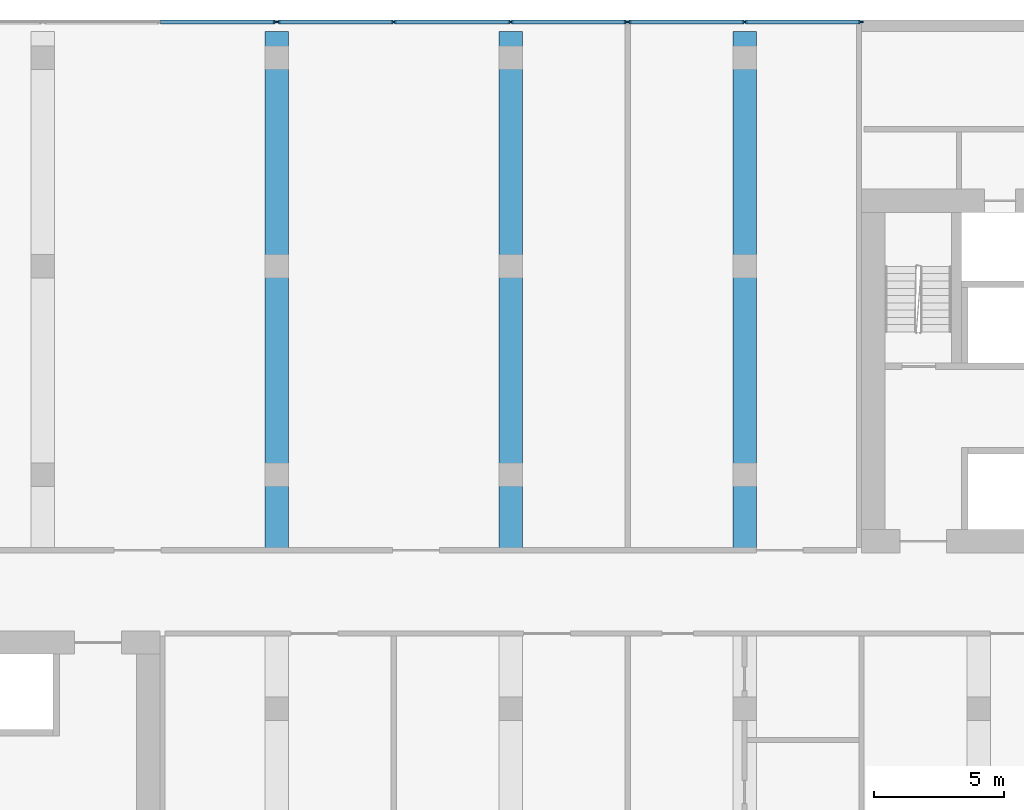
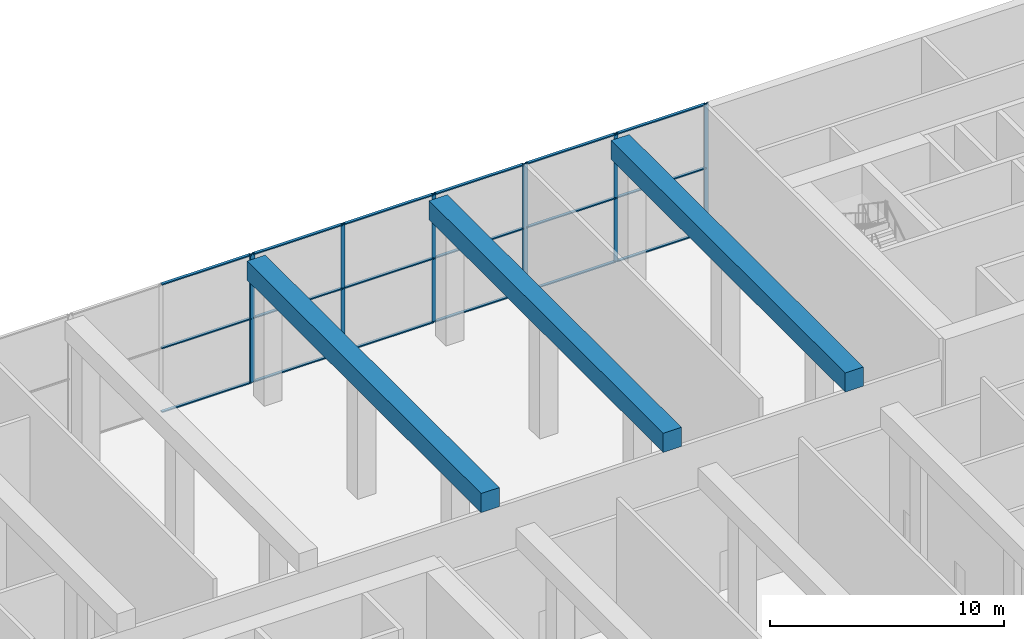
# One storey, part 6 of 23: 26 members, 3 beams, 3 elements without a shape of their own.
"""IFC4 building model written with IfcOpenShell, lengths in metres."""

from ifc_helpers import new_model, si_unit, direction, frame, origin, origin_2d, place, context, subcontext, project, spatial, rectangle, extrude, material, material_profile, profile_set, type_object, element, aggregate, save


model = new_model("IFC4")

# Units and contexts
model_context = context("Model", 3, precision=1e-05, world=origin(), true_north=direction((0.0, 1.0)))
body_context = subcontext(model_context, "Body", "Model", "MODEL_VIEW")
ifc_project = project(units=[si_unit("LENGTHUNIT", "METRE"), si_unit("AREAUNIT", "SQUARE_METRE"), si_unit("VOLUMEUNIT", "CUBIC_METRE"), si_unit("PLANEANGLEUNIT", "RADIAN"), si_unit("MASSUNIT", "GRAM", prefix="KILO")], contexts=[model_context])

# Site, building, storey
site_placement = place(None, origin())
site = spatial("IfcSite", under=ifc_project, at=site_placement, CompositionType="ELEMENT")
building_placement = place(site_placement, origin())
building = spatial("IfcBuilding", under=site, at=building_placement, Name="Kajstack Hotel Tower", CompositionType="ELEMENT")
storey_placement = place(building_placement, frame((0.0, 0.0, 53.0)))
storey = spatial("IfcBuildingStorey", under=building, at=storey_placement, Name="L08", CompositionType="ELEMENT", Elevation=53.0)

# Curtain wall, members
ifc_material_1 = material(Name="Aluminium-framed curtain wall, low-iron insulated glass", Category="aluminium")
curtain_wall_type = type_object("IfcCurtainWallType", Name="CW-GARDEN", PredefinedType="NOTDEFINED", material=ifc_material_1)
curtain_wall_1_placement = place(storey_placement, origin())
curtain_wall_1 = element("IfcCurtainWall", 1, at=curtain_wall_1_placement, inside=storey, type_object=curtain_wall_type, Name="Curtain wall CU6 L08-11-02-0", PredefinedType="NOTDEFINED")
ifc_material_2 = material(Name="Aluminium", Category="aluminium")
ifc_material_profile_1 = material_profile(ifc_material_2, rectangle(XDim=0.06005859375, YDim=0.199951171875, at=origin_2d()), Name="Aluminium mullion 60 x 200")
ifc_profile_set_1 = profile_set([ifc_material_profile_1], Name="Aluminium")
member_type_1 = type_object("IfcMemberType", Name="CW-M-GARDEN", PredefinedType="MULLION", material=ifc_profile_set_1)
member_1_placement = place(storey_placement, frame((13.469970703125, 21.925048828125, 0.0), z_axis=(0.0, 0.0, 1.0), x_axis=(0.0, -1.0, 0.0)))
member_1 = element("IfcMember", 2, at=member_1_placement, type_object=member_type_1, Name="CU6 mullion 1", PredefinedType="MULLION", context=body_context, shape_type="SweptSolid", body=[
    extrude(rectangle(XDim=0.06005859375, YDim=0.199951171875, at=origin_2d()), origin(), (0.0, 0.0, 1.0), 6.719970703125),
])
member_2_placement = place(storey_placement, frame((9.0, 21.925048828125, 0.0), z_axis=(0.0, 0.0, 1.0), x_axis=(0.0, -1.0, 0.0)))
member_2 = element("IfcMember", 3, at=member_2_placement, type_object=member_type_1, Name="CU6 mullion 2", PredefinedType="MULLION", context=body_context, shape_type="SweptSolid", body=[
    extrude(rectangle(XDim=0.06005859375, YDim=0.199951171875, at=origin_2d()), origin(), (0.0, 0.0, 1.0), 6.719970703125),
])
member_3_placement = place(storey_placement, frame((4.530029296875, 21.925048828125, 0.0), z_axis=(0.0, 0.0, 1.0), x_axis=(0.0, -1.0, 0.0)))
member_3 = element("IfcMember", 4, at=member_3_placement, type_object=member_type_1, Name="CU6 mullion 3", PredefinedType="MULLION", context=body_context, shape_type="SweptSolid", body=[
    extrude(rectangle(XDim=0.06005859375, YDim=0.199951171875, at=origin_2d()), origin(), (0.0, 0.0, 1.0), 6.719970703125),
])

curtain_wall_2_placement = place(storey_placement, origin())
curtain_wall_2 = element("IfcCurtainWall", 5, at=curtain_wall_2_placement, inside=storey, type_object=curtain_wall_type, Name="Curtain wall CU6 L08-11-02-1", PredefinedType="NOTDEFINED")
member_4_placement = place(storey_placement, frame((4.469970703125, 21.925048828125, 0.0), z_axis=(0.0, 0.0, 1.0), x_axis=(0.0, -1.0, 0.0)))
member_4 = element("IfcMember", 6, at=member_4_placement, type_object=member_type_1, Name="CU6 mullion 1", PredefinedType="MULLION", context=body_context, shape_type="SweptSolid", body=[
    extrude(rectangle(XDim=0.06005859375, YDim=0.199951171875, at=origin_2d()), origin(), (0.0, 0.0, 1.0), 6.719970703125),
])
member_5_placement = place(storey_placement, frame((0.0, 21.925048828125, 0.0), z_axis=(0.0, 0.0, 1.0), x_axis=(0.0, -1.0, 0.0)))
member_5 = element("IfcMember", 7, at=member_5_placement, type_object=member_type_1, Name="CU6 mullion 2", PredefinedType="MULLION", context=body_context, shape_type="SweptSolid", body=[
    extrude(rectangle(XDim=0.06005859375, YDim=0.199951171875, at=origin_2d()), origin(), (0.0, 0.0, 1.0), 6.719970703125),
])
member_6_placement = place(storey_placement, frame((-4.5, 21.925048828125, 0.0), z_axis=(0.0, 0.0, 1.0), x_axis=(0.0, -1.0, 0.0)))
member_6 = element("IfcMember", 8, at=member_6_placement, type_object=member_type_1, Name="CU6 mullion 3", PredefinedType="MULLION", context=body_context, shape_type="SweptSolid", body=[
    extrude(rectangle(XDim=0.06005859375, YDim=0.199951171875, at=origin_2d()), origin(), (0.0, 0.0, 1.0), 6.719970703125),
])
member_7_placement = place(storey_placement, frame((-8.969970703125, 21.925048828125, 0.0), z_axis=(0.0, 0.0, 1.0), x_axis=(0.0, -1.0, 0.0)))
member_7 = element("IfcMember", 9, at=member_7_placement, type_object=member_type_1, Name="CU6 mullion 4", PredefinedType="MULLION", context=body_context, shape_type="SweptSolid", body=[
    extrude(rectangle(XDim=0.06005859375, YDim=0.199951171875, at=origin_2d()), origin(), (0.0, 0.0, 1.0), 6.719970703125),
])

# Curtain wall, member
curtain_wall_3_placement = place(storey_placement, origin())
curtain_wall_3 = element("IfcCurtainWall", 10, at=curtain_wall_3_placement, inside=storey, type_object=curtain_wall_type, Name="Curtain wall CU6 L08-11-02-2", PredefinedType="NOTDEFINED")
member_8_placement = place(storey_placement, frame((-9.030029296875, 21.925048828125, 0.0), z_axis=(0.0, 0.0, 1.0), x_axis=(0.0, -1.0, 0.0)))
member_8 = element("IfcMember", 11, at=member_8_placement, type_object=member_type_1, Name="CU6 mullion 1", PredefinedType="MULLION", context=body_context, shape_type="SweptSolid", body=[
    extrude(rectangle(XDim=0.06005859375, YDim=0.199951171875, at=origin_2d()), origin(), (0.0, 0.0, 1.0), 6.719970703125),
])

# Member
ifc_material_profile_2 = material_profile(ifc_material_2, rectangle(XDim=0.139892578125, YDim=0.06005859375, at=origin_2d()), Name="Aluminium transom 140 x 60")
ifc_profile_set_2 = profile_set([ifc_material_profile_2], Name="Aluminium")
member_type_2 = type_object("IfcMemberType", Name="CW-T-GARDEN", PredefinedType="USERDEFINED", material=ifc_profile_set_2)
member_9_placement = place(storey_placement, frame((13.43994140625, 21.925048828125, 0.030029296875), z_axis=(-1.0, 0.0, 0.0), x_axis=(0.0, -1.0, 0.0)))
member_9 = element("IfcMember", 12, at=member_9_placement, type_object=member_type_2, Name="CU6 transom 1.1", ObjectType="TRANSOM", PredefinedType="USERDEFINED", context=body_context, shape_type="SweptSolid", body=[
    extrude(rectangle(XDim=0.139892578125, YDim=0.06005859375, at=origin_2d()), origin(), (0.0, 0.0, 1.0), 4.409912109375),
])

member_10_placement = place(storey_placement, frame((13.43994140625, 21.925048828125, 3.360107421875), z_axis=(-1.0, 0.0, 0.0), x_axis=(0.0, -1.0, 0.0)))
member_10 = element("IfcMember", 13, at=member_10_placement, type_object=member_type_2, Name="CU6 transom 1.2", ObjectType="TRANSOM", PredefinedType="USERDEFINED", context=body_context, shape_type="SweptSolid", body=[
    extrude(rectangle(XDim=0.139892578125, YDim=0.06005859375, at=origin_2d()), origin(), (0.0, 0.0, 1.0), 4.409912109375),
])

member_11_placement = place(storey_placement, frame((13.43994140625, 21.925048828125, 6.68994140625), z_axis=(-1.0, 0.0, 0.0), x_axis=(0.0, -1.0, 0.0)))
member_11 = element("IfcMember", 14, at=member_11_placement, type_object=member_type_2, Name="CU6 transom 1.3", ObjectType="TRANSOM", PredefinedType="USERDEFINED", context=body_context, shape_type="SweptSolid", body=[
    extrude(rectangle(XDim=0.139892578125, YDim=0.06005859375, at=origin_2d()), origin(), (0.0, 0.0, 1.0), 4.409912109375),
])

member_12_placement = place(storey_placement, frame((8.969970703125, 21.925048828125, 0.030029296875), z_axis=(-1.0, 0.0, 0.0), x_axis=(0.0, -1.0, 0.0)))
member_12 = element("IfcMember", 15, at=member_12_placement, type_object=member_type_2, Name="CU6 transom 2.1", ObjectType="TRANSOM", PredefinedType="USERDEFINED", context=body_context, shape_type="SweptSolid", body=[
    extrude(rectangle(XDim=0.139892578125, YDim=0.06005859375, at=origin_2d()), origin(), (0.0, 0.0, 1.0), 4.409912109375),
])

member_13_placement = place(storey_placement, frame((8.969970703125, 21.925048828125, 3.360107421875), z_axis=(-1.0, 0.0, 0.0), x_axis=(0.0, -1.0, 0.0)))
member_13 = element("IfcMember", 16, at=member_13_placement, type_object=member_type_2, Name="CU6 transom 2.2", ObjectType="TRANSOM", PredefinedType="USERDEFINED", context=body_context, shape_type="SweptSolid", body=[
    extrude(rectangle(XDim=0.139892578125, YDim=0.06005859375, at=origin_2d()), origin(), (0.0, 0.0, 1.0), 4.409912109375),
])

member_14_placement = place(storey_placement, frame((8.969970703125, 21.925048828125, 6.68994140625), z_axis=(-1.0, 0.0, 0.0), x_axis=(0.0, -1.0, 0.0)))
member_14 = element("IfcMember", 17, at=member_14_placement, type_object=member_type_2, Name="CU6 transom 2.3", ObjectType="TRANSOM", PredefinedType="USERDEFINED", context=body_context, shape_type="SweptSolid", body=[
    extrude(rectangle(XDim=0.139892578125, YDim=0.06005859375, at=origin_2d()), origin(), (0.0, 0.0, 1.0), 4.409912109375),
])

aggregate(curtain_wall_1, [member_1, member_2, member_3, member_9, member_10, member_11, member_12, member_13, member_14])

member_15_placement = place(storey_placement, frame((4.43994140625, 21.925048828125, 0.030029296875), z_axis=(-1.0, 0.0, 0.0), x_axis=(0.0, -1.0, 0.0)))
member_15 = element("IfcMember", 18, at=member_15_placement, type_object=member_type_2, Name="CU6 transom 1.1", ObjectType="TRANSOM", PredefinedType="USERDEFINED", context=body_context, shape_type="SweptSolid", body=[
    extrude(rectangle(XDim=0.139892578125, YDim=0.06005859375, at=origin_2d()), origin(), (0.0, 0.0, 1.0), 4.409912109375),
])

member_16_placement = place(storey_placement, frame((4.43994140625, 21.925048828125, 3.360107421875), z_axis=(-1.0, 0.0, 0.0), x_axis=(0.0, -1.0, 0.0)))
member_16 = element("IfcMember", 19, at=member_16_placement, type_object=member_type_2, Name="CU6 transom 1.2", ObjectType="TRANSOM", PredefinedType="USERDEFINED", context=body_context, shape_type="SweptSolid", body=[
    extrude(rectangle(XDim=0.139892578125, YDim=0.06005859375, at=origin_2d()), origin(), (0.0, 0.0, 1.0), 4.409912109375),
])

member_17_placement = place(storey_placement, frame((4.43994140625, 21.925048828125, 6.68994140625), z_axis=(-1.0, 0.0, 0.0), x_axis=(0.0, -1.0, 0.0)))
member_17 = element("IfcMember", 20, at=member_17_placement, type_object=member_type_2, Name="CU6 transom 1.3", ObjectType="TRANSOM", PredefinedType="USERDEFINED", context=body_context, shape_type="SweptSolid", body=[
    extrude(rectangle(XDim=0.139892578125, YDim=0.06005859375, at=origin_2d()), origin(), (0.0, 0.0, 1.0), 4.409912109375),
])

member_18_placement = place(storey_placement, frame((-0.030029296875, 21.925048828125, 0.030029296875), z_axis=(-1.0, 0.0, 0.0), x_axis=(0.0, -1.0, 0.0)))
member_18 = element("IfcMember", 21, at=member_18_placement, type_object=member_type_2, Name="CU6 transom 2.1", ObjectType="TRANSOM", PredefinedType="USERDEFINED", context=body_context, shape_type="SweptSolid", body=[
    extrude(rectangle(XDim=0.139892578125, YDim=0.06005859375, at=origin_2d()), origin(), (0.0, 0.0, 1.0), 4.43994140625),
])

member_19_placement = place(storey_placement, frame((-0.030029296875, 21.925048828125, 3.360107421875), z_axis=(-1.0, 0.0, 0.0), x_axis=(0.0, -1.0, 0.0)))
member_19 = element("IfcMember", 22, at=member_19_placement, type_object=member_type_2, Name="CU6 transom 2.2", ObjectType="TRANSOM", PredefinedType="USERDEFINED", context=body_context, shape_type="SweptSolid", body=[
    extrude(rectangle(XDim=0.139892578125, YDim=0.06005859375, at=origin_2d()), origin(), (0.0, 0.0, 1.0), 4.43994140625),
])

member_20_placement = place(storey_placement, frame((-0.030029296875, 21.925048828125, 6.68994140625), z_axis=(-1.0, 0.0, 0.0), x_axis=(0.0, -1.0, 0.0)))
member_20 = element("IfcMember", 23, at=member_20_placement, type_object=member_type_2, Name="CU6 transom 2.3", ObjectType="TRANSOM", PredefinedType="USERDEFINED", context=body_context, shape_type="SweptSolid", body=[
    extrude(rectangle(XDim=0.139892578125, YDim=0.06005859375, at=origin_2d()), origin(), (0.0, 0.0, 1.0), 4.43994140625),
])

member_21_placement = place(storey_placement, frame((-4.530029296875, 21.925048828125, 0.030029296875), z_axis=(-1.0, 0.0, 0.0), x_axis=(0.0, -1.0, 0.0)))
member_21 = element("IfcMember", 24, at=member_21_placement, type_object=member_type_2, Name="CU6 transom 3.1", ObjectType="TRANSOM", PredefinedType="USERDEFINED", context=body_context, shape_type="SweptSolid", body=[
    extrude(rectangle(XDim=0.139892578125, YDim=0.06005859375, at=origin_2d()), origin(), (0.0, 0.0, 1.0), 4.409912109375),
])

member_22_placement = place(storey_placement, frame((-4.530029296875, 21.925048828125, 3.360107421875), z_axis=(-1.0, 0.0, 0.0), x_axis=(0.0, -1.0, 0.0)))
member_22 = element("IfcMember", 25, at=member_22_placement, type_object=member_type_2, Name="CU6 transom 3.2", ObjectType="TRANSOM", PredefinedType="USERDEFINED", context=body_context, shape_type="SweptSolid", body=[
    extrude(rectangle(XDim=0.139892578125, YDim=0.06005859375, at=origin_2d()), origin(), (0.0, 0.0, 1.0), 4.409912109375),
])

member_23_placement = place(storey_placement, frame((-4.530029296875, 21.925048828125, 6.68994140625), z_axis=(-1.0, 0.0, 0.0), x_axis=(0.0, -1.0, 0.0)))
member_23 = element("IfcMember", 26, at=member_23_placement, type_object=member_type_2, Name="CU6 transom 3.3", ObjectType="TRANSOM", PredefinedType="USERDEFINED", context=body_context, shape_type="SweptSolid", body=[
    extrude(rectangle(XDim=0.139892578125, YDim=0.06005859375, at=origin_2d()), origin(), (0.0, 0.0, 1.0), 4.409912109375),
])

aggregate(curtain_wall_2, [member_4, member_5, member_6, member_7, member_15, member_16, member_17, member_18, member_19, member_20, member_21, member_22, member_23])

member_24_placement = place(storey_placement, frame((-9.06005859375, 21.925048828125, 0.030029296875), z_axis=(-1.0, 0.0, 0.0), x_axis=(0.0, -1.0, 0.0)))
member_24 = element("IfcMember", 27, at=member_24_placement, type_object=member_type_2, Name="CU6 transom 1.1", ObjectType="TRANSOM", PredefinedType="USERDEFINED", context=body_context, shape_type="SweptSolid", body=[
    extrude(rectangle(XDim=0.139892578125, YDim=0.06005859375, at=origin_2d()), origin(), (0.0, 0.0, 1.0), 4.409912109375),
])

member_25_placement = place(storey_placement, frame((-9.06005859375, 21.925048828125, 3.360107421875), z_axis=(-1.0, 0.0, 0.0), x_axis=(0.0, -1.0, 0.0)))
member_25 = element("IfcMember", 28, at=member_25_placement, type_object=member_type_2, Name="CU6 transom 1.2", ObjectType="TRANSOM", PredefinedType="USERDEFINED", context=body_context, shape_type="SweptSolid", body=[
    extrude(rectangle(XDim=0.139892578125, YDim=0.06005859375, at=origin_2d()), origin(), (0.0, 0.0, 1.0), 4.409912109375),
])

member_26_placement = place(storey_placement, frame((-9.06005859375, 21.925048828125, 6.68994140625), z_axis=(-1.0, 0.0, 0.0), x_axis=(0.0, -1.0, 0.0)))
member_26 = element("IfcMember", 29, at=member_26_placement, type_object=member_type_2, Name="CU6 transom 1.3", ObjectType="TRANSOM", PredefinedType="USERDEFINED", context=body_context, shape_type="SweptSolid", body=[
    extrude(rectangle(XDim=0.139892578125, YDim=0.06005859375, at=origin_2d()), origin(), (0.0, 0.0, 1.0), 4.409912109375),
])

aggregate(curtain_wall_3, [member_8, member_24, member_25, member_26])

# Beams
ifc_material_3 = material(Name="Concrete C60/75", Category="concrete")
ifc_material_profile_3 = material_profile(ifc_material_3, rectangle(XDim=0.89990234375, YDim=1.0, at=origin_2d()), Name="RC 900x1000")
ifc_profile_set_3 = profile_set([ifc_material_profile_3], Name="Concrete C60/75")
beam_type = type_object("IfcBeamType", Name="TG1 RC 900x1000 C60/75", PredefinedType="BEAM", material=ifc_profile_set_3)
for number, where, z_axis, x_axis, name in (
    (30, (-9.0, 1.5, 6.219970703125), (0.0, 1.0, 0.0), (-1.0, 0.0, 0.0), "S-girder-L08--9p0-2"),
    (31, (0.0, 1.5, 6.219970703125), (0.0, 1.0, 0.0), (-1.0, 0.0, 0.0), "S-girder-L08-+0p0-2"),
    (32, (9.0, 1.5, 6.219970703125), (0.0, 1.0, 0.0), (-1.0, 0.0, 0.0), "S-girder-L08-+9p0-2"),
):
    element("IfcBeam", number, at=place(storey_placement, frame(where, z_axis=z_axis, x_axis=x_axis)), inside=storey, type_object=beam_type, Name=name, PredefinedType="BEAM", context=body_context, shape_type="SweptSolid", body=[
        extrude(rectangle(XDim=0.89990234375, YDim=1.0, at=origin_2d()), origin(), (0.0, 0.0, 1.0), 20.050048828125),
    ])

save(model, "model.ifc")
